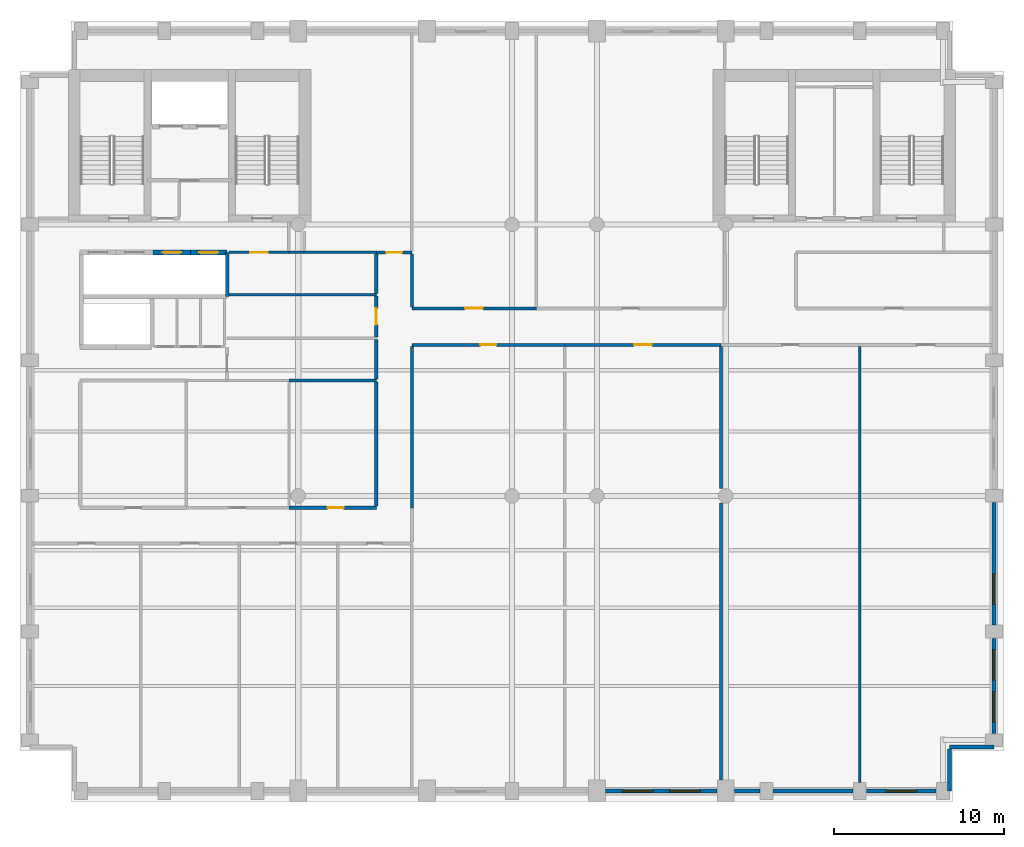
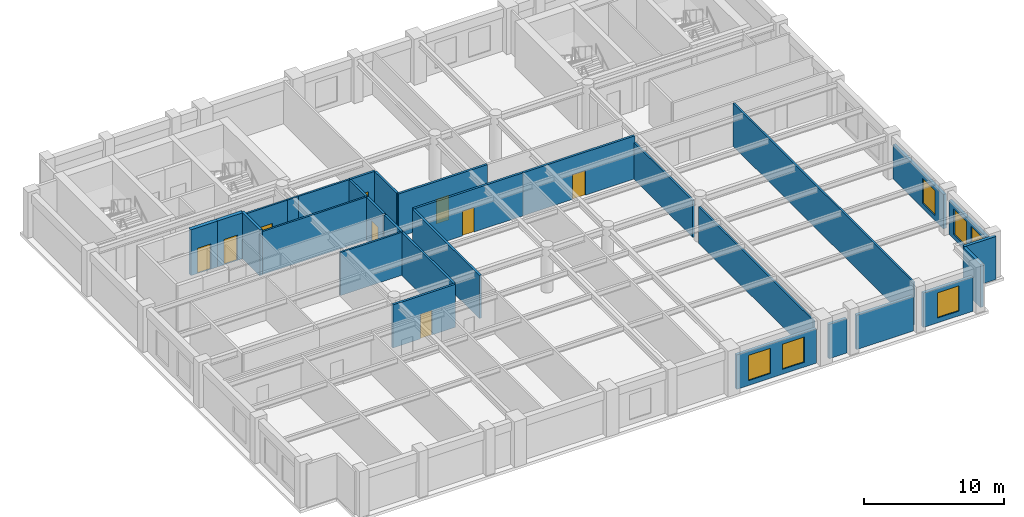
# One storey, part 4 of 8: 30 walls, 9 doors, 6 windows, 15 openings.
"""IFC4 building model written with IfcOpenShell, lengths in metres."""

from ifc_helpers import new_model, si_unit, direction, frame, frame_2d, origin, place, context, subcontext, project, spatial, rectangle, extrude, material, layer, layer_set, type_object, element, fill, save


model = new_model("IFC4")

# Units and contexts
model_context = context("Model", 3, precision=1e-05, world=origin(), true_north=direction((0.0, 1.0)))
body_context = subcontext(model_context, "Body", "Model", "MODEL_VIEW")
ifc_project = project(units=[si_unit("LENGTHUNIT", "METRE"), si_unit("AREAUNIT", "SQUARE_METRE"), si_unit("VOLUMEUNIT", "CUBIC_METRE"), si_unit("PLANEANGLEUNIT", "RADIAN"), si_unit("MASSUNIT", "GRAM", prefix="KILO")], contexts=[model_context])

# Site, building, storey
site_placement = place(None, origin())
site = spatial("IfcSite", under=ifc_project, at=site_placement, CompositionType="ELEMENT")
building_placement = place(site_placement, origin())
building = spatial("IfcBuilding", under=site, at=building_placement, Name="Sulina Concourse Tower", CompositionType="ELEMENT")
storey_placement = place(building_placement, frame((0.0, 0.0, 248.60009765625)))
storey = spatial("IfcBuildingStorey", under=building, at=storey_placement, Name="L60", CompositionType="ELEMENT", Elevation=248.60009765625)

# Wall
ifc_material_1 = material(Name="Concrete C50/60", Category="concrete")
ifc_layer_1 = layer(ifc_material_1, 0.219970703125)
ifc_layer_set_1 = layer_set([ifc_layer_1], Name="Concrete C50/60")
wall_type_1 = type_object("IfcWallType", Name="Core Lift Hoistway Divider Wall 220mm", PredefinedType="SOLIDWALL", material=ifc_layer_set_1)
wall_1_placement = place(storey_placement, frame((12.219970703125, 29.75, 0.0), z_axis=(0.0, 0.0, 1.0), x_axis=(0.0, 1.0, 0.0)))
element("IfcWall", 1, at=wall_1_placement, inside=storey, type_object=wall_type_1, Name="L60 shaft divider wall HW-LP3-E", PredefinedType="SOLIDWALL", context=body_context, shape_type="SweptSolid", body=[
    extrude(rectangle(XDim=2.60009765625, YDim=0.219970703125, at=frame_2d((1.300048828125, 0.0))), origin(), (0.0, 0.0, 1.0), 4.0),
])

# Wall, opening, door
ifc_material_2 = material(Name="Concrete C50/60", Category="concrete")
ifc_layer_2 = layer(ifc_material_2, 0.300048828125)
ifc_layer_set_2 = layer_set([ifc_layer_2], Name="Concrete C50/60")
wall_type_2 = type_object("IfcWallType", Name="Core Lift Hoistway Wall 300mm", PredefinedType="SOLIDWALL", material=ifc_layer_set_2)
wall_2_placement = place(storey_placement, frame((7.85009765625, 32.35009765625, 0.0), z_axis=(0.0, 0.0, 1.0), x_axis=(1.0, 0.0, 0.0)))
wall_2 = element("IfcWall", 2, at=wall_2_placement, inside=storey, type_object=wall_type_2, Name="L60 hoistway enclosure wall LP-11", PredefinedType="SOLIDWALL", context=body_context, shape_type="SweptSolid", body=[
    extrude(rectangle(XDim=2.199951171875, YDim=0.300048828125, at=frame_2d((1.10009765625, 0.0))), origin(), (0.0, 0.0, 1.0), 4.0),
])
opening_1_placement = place(wall_2_placement, frame((0.550048828125, 0.0, 0.0)))
opening_1 = element("IfcOpeningElement", 3, at=opening_1_placement, cuts=wall_2, Name="Opening LD-01", PredefinedType="OPENING", context=body_context, shape_type="SweptSolid", body=[
    extrude(rectangle(XDim=1.10009765625, YDim=2.199951171875, at=frame_2d((0.550048828125, 1.10009765625))), frame((0.0, 0.159912109375, 0.0), z_axis=(0.0, -1.0, 0.0), x_axis=(1.0, 0.0, 0.0)), (0.0, 0.0, 1.0), 0.320068359375),
])
ifc_material_3 = material(Name="Stainless steel lift landing door", Category="steel")
ifc_layer_3 = layer(ifc_material_3, 0.050048828125)
ifc_layer_set_3 = layer_set([ifc_layer_3], Name="Stainless steel lift landing door")
door_type_1 = type_object("IfcDoorType", Name="Passenger Lift Sliding Landing Door 1100x2200", OperationType="SLIDING_TO_LEFT", PredefinedType="DOOR", material=ifc_layer_set_3)
door_1_placement = place(opening_1_placement, origin())
door_1 = element("IfcDoor", 4, at=door_1_placement, inside=storey, type_object=door_type_1, Name="L60 lift landing sliding door LP-11", OperationType="SLIDING_TO_LEFT", OverallHeight=2.199951171875, OverallWidth=1.10009765625, PredefinedType="DOOR", context=body_context, shape_type="SweptSolid", body=[
    extrude(rectangle(XDim=1.10009765625, YDim=2.199951171875, at=frame_2d((0.550048828125, 1.10009765625))), frame((0.0, 0.02490234375, 0.0), z_axis=(0.0, -1.0, 0.0), x_axis=(1.0, 0.0, 0.0)), (0.0, 0.0, 1.0), 0.050048828125),
])
fill(opening_1, door_1)

wall_3_placement = place(storey_placement, frame((10.050048828125, 32.35009765625, 0.0), z_axis=(0.0, 0.0, 1.0), x_axis=(1.0, 0.0, 0.0)))
wall_3 = element("IfcWall", 5, at=wall_3_placement, inside=storey, type_object=wall_type_2, Name="L60 hoistway enclosure wall LP-12", PredefinedType="SOLIDWALL", context=body_context, shape_type="SweptSolid", body=[
    extrude(rectangle(XDim=2.14990234375, YDim=0.300048828125, at=frame_2d((1.074951171875, 0.0))), origin(), (0.0, 0.0, 1.0), 4.0),
])
opening_2_placement = place(wall_3_placement, frame((0.52490234375, 0.0, 0.0)))
opening_2 = element("IfcOpeningElement", 6, at=opening_2_placement, cuts=wall_3, Name="Opening LD-01", PredefinedType="OPENING", context=body_context, shape_type="SweptSolid", body=[
    extrude(rectangle(XDim=1.10009765625, YDim=2.199951171875, at=frame_2d((0.550048828125, 1.10009765625))), frame((0.0, 0.159912109375, 0.0), z_axis=(0.0, -1.0, 0.0), x_axis=(1.0, 0.0, 0.0)), (0.0, 0.0, 1.0), 0.320068359375),
])
door_2_placement = place(opening_2_placement, origin())
door_2 = element("IfcDoor", 7, at=door_2_placement, inside=storey, type_object=door_type_1, Name="L60 lift landing sliding door LP-12", OperationType="SLIDING_TO_RIGHT", OverallHeight=2.199951171875, OverallWidth=1.10009765625, PredefinedType="DOOR", context=body_context, shape_type="SweptSolid", body=[
    extrude(rectangle(XDim=1.10009765625, YDim=2.199951171875, at=frame_2d((0.550048828125, 1.10009765625))), frame((0.0, 0.02490234375, 0.0), z_axis=(0.0, -1.0, 0.0), x_axis=(1.0, 0.0, 0.0)), (0.0, 0.0, 1.0), 0.050048828125),
])
fill(opening_2, door_2)

# Wall, openings, windows
ifc_material_4 = material(Name="Precast concrete C50/60", Category="concrete")
ifc_layer_4 = layer(ifc_material_4, 0.239990234375)
ifc_layer_set_4 = layer_set([ifc_layer_4], Name="Precast concrete C50/60")
wall_type_3 = type_object("IfcWallType", Name="Crown Precast Masonry-Frame Facade Wall 240mm", PredefinedType="SOLIDWALL", material=ifc_layer_set_4)
wall_4_placement = place(storey_placement, frame((41.080078125, 0.60009765625, 0.0), z_axis=(0.0, 0.0, 1.0), x_axis=(-1.0, 0.0, 0.0)))
wall_4 = element("IfcWall", 8, at=wall_4_placement, inside=storey, type_object=wall_type_3, Name="L60 exterior precast wall S7", PredefinedType="SOLIDWALL", context=body_context, shape_type="SweptSolid", body=[
    extrude(rectangle(XDim=6.56005859375, YDim=0.239990234375, at=frame_2d((3.280029296875, 0.0))), origin(), (0.0, 0.0, 1.0), 3.0),
])
opening_3_placement = place(wall_4_placement, frame((0.98681640625, 0.0, 0.419921875)))
opening_3 = element("IfcOpeningElement", 9, at=opening_3_placement, cuts=wall_4, Name="Opening WN-25", PredefinedType="OPENING", context=body_context, shape_type="SweptSolid", body=[
    extrude(rectangle(XDim=1.800048828125, YDim=2.199951171875, at=frame_2d((0.89990234375, 1.10009765625))), frame((0.0, 0.1298828125, 0.0), z_axis=(0.0, -1.0, 0.0), x_axis=(1.0, 0.0, 0.0)), (0.0, 0.0, 1.0), 0.260009765625),
])
opening_4_placement = place(wall_4_placement, frame((3.773193359375, 0.0, 0.419921875)))
opening_4 = element("IfcOpeningElement", 10, at=opening_4_placement, cuts=wall_4, Name="Opening WN-25", PredefinedType="OPENING", context=body_context, shape_type="SweptSolid", body=[
    extrude(rectangle(XDim=1.800048828125, YDim=2.199951171875, at=frame_2d((0.89990234375, 1.10009765625))), frame((0.0, 0.1298828125, 0.0), z_axis=(0.0, -1.0, 0.0), x_axis=(1.0, 0.0, 0.0)), (0.0, 0.0, 1.0), 0.260009765625),
])
ifc_material_5 = material(Name="Low-E solar double glazing in bronze aluminium", Category="aluminium")
window_type = type_object("IfcWindowType", Name="Punched Masonry-Frame Window 1800x2200", PartitioningType="SINGLE_PANEL", PredefinedType="WINDOW", material=ifc_material_5)
window_1_placement = place(opening_3_placement, origin())
window_1 = element("IfcWindow", 11, at=window_1_placement, inside=storey, type_object=window_type, Name="L60 punched window S7-1", OverallHeight=2.199951171875, OverallWidth=1.800048828125, PartitioningType="SINGLE_PANEL", PredefinedType="WINDOW", context=body_context, shape_type="SweptSolid", body=[
    extrude(rectangle(XDim=1.800048828125, YDim=2.199951171875, at=frame_2d((0.89990234375, 1.10009765625))), frame((0.0, 0.030029296875, 0.0), z_axis=(0.0, -1.0, 0.0), x_axis=(1.0, 0.0, 0.0)), (0.0, 0.0, 1.0), 0.06005859375),
])
fill(opening_3, window_1)
window_2_placement = place(opening_4_placement, origin())
window_2 = element("IfcWindow", 12, at=window_2_placement, inside=storey, type_object=window_type, Name="L60 punched window S7-2", OverallHeight=2.199951171875, OverallWidth=1.800048828125, PartitioningType="SINGLE_PANEL", PredefinedType="WINDOW", context=body_context, shape_type="SweptSolid", body=[
    extrude(rectangle(XDim=1.800048828125, YDim=2.199951171875, at=frame_2d((0.89990234375, 1.10009765625))), frame((0.0, 0.030029296875, 0.0), z_axis=(0.0, -1.0, 0.0), x_axis=(1.0, 0.0, 0.0)), (0.0, 0.0, 1.0), 0.06005859375),
])
fill(opening_4, window_2)

# Walls
wall_5_placement = place(storey_placement, frame((43.60498046875, 0.60009765625, 0.0), z_axis=(0.0, 0.0, 1.0), x_axis=(-1.0, 0.0, 0.0)))
element("IfcWall", 13, at=wall_5_placement, inside=storey, type_object=wall_type_3, Name="L60 exterior precast wall S8", PredefinedType="SOLIDWALL", context=body_context, shape_type="SweptSolid", body=[
    extrude(rectangle(XDim=1.48486328125, YDim=0.239990234375, at=frame_2d((0.742431640625, 0.0))), origin(), (0.0, 0.0, 1.0), 3.0),
])
wall_6_placement = place(storey_placement, frame((49.10498046875, 0.60009765625, 0.0), z_axis=(0.0, 0.0, 1.0), x_axis=(-1.0, 0.0, 0.0)))
element("IfcWall", 14, at=wall_6_placement, inside=storey, type_object=wall_type_3, Name="L60 exterior precast wall S9", PredefinedType="SOLIDWALL", context=body_context, shape_type="SweptSolid", body=[
    extrude(rectangle(XDim=4.7099609375, YDim=0.239990234375, at=frame_2d((2.35498046875, 0.0))), origin(), (0.0, 0.0, 1.0), 3.0),
])

# Wall, opening, window
wall_7_placement = place(storey_placement, frame((54.0048828125, 0.60009765625, 0.0), z_axis=(0.0, 0.0, 1.0), x_axis=(-1.0, 0.0, 0.0)))
wall_7 = element("IfcWall", 15, at=wall_7_placement, inside=storey, type_object=wall_type_3, Name="L60 exterior precast wall S10", PredefinedType="SOLIDWALL", context=body_context, shape_type="SweptSolid", body=[
    extrude(rectangle(XDim=4.10986328125, YDim=0.239990234375, at=frame_2d((2.054931640625, 0.0))), origin(), (0.0, 0.0, 1.0), 3.0),
])
opening_5_placement = place(wall_7_placement, frame((1.155029296875, 0.0, 0.419921875)))
opening_5 = element("IfcOpeningElement", 16, at=opening_5_placement, cuts=wall_7, Name="Opening WN-25", PredefinedType="OPENING", context=body_context, shape_type="SweptSolid", body=[
    extrude(rectangle(XDim=1.800048828125, YDim=2.199951171875, at=frame_2d((0.89990234375, 1.10009765625))), frame((0.0, 0.1298828125, 0.0), z_axis=(0.0, -1.0, 0.0), x_axis=(1.0, 0.0, 0.0)), (0.0, 0.0, 1.0), 0.260009765625),
])
window_3_placement = place(opening_5_placement, origin())
window_3 = element("IfcWindow", 17, at=window_3_placement, inside=storey, type_object=window_type, Name="L60 punched window S10-1", OverallHeight=2.199951171875, OverallWidth=1.800048828125, PartitioningType="SINGLE_PANEL", PredefinedType="WINDOW", context=body_context, shape_type="SweptSolid", body=[
    extrude(rectangle(XDim=1.800048828125, YDim=2.199951171875, at=frame_2d((0.89990234375, 1.10009765625))), frame((0.0, 0.030029296875, 0.0), z_axis=(0.0, -1.0, 0.0), x_axis=(1.0, 0.0, 0.0)), (0.0, 0.0, 1.0), 0.06005859375),
])
fill(opening_5, window_3)

# Wall, openings, windows
wall_8_placement = place(storey_placement, frame((57.39990234375, 9.60498046875, 0.0), z_axis=(0.0, 0.0, 1.0), x_axis=(0.0, -1.0, 0.0)))
wall_8 = element("IfcWall", 18, at=wall_8_placement, inside=storey, type_object=wall_type_3, Name="L60 exterior precast wall E1", PredefinedType="SOLIDWALL", context=body_context, shape_type="SweptSolid", body=[
    extrude(rectangle(XDim=5.60986328125, YDim=0.239990234375, at=frame_2d((2.804931640625, 0.0))), origin(), (0.0, 0.0, 1.0), 3.0),
])
opening_6_placement = place(wall_8_placement, frame((0.669921875, 0.0, 0.419921875)))
opening_6 = element("IfcOpeningElement", 19, at=opening_6_placement, cuts=wall_8, Name="Opening WN-25", PredefinedType="OPENING", context=body_context, shape_type="SweptSolid", body=[
    extrude(rectangle(XDim=1.800048828125, YDim=2.199951171875, at=frame_2d((0.89990234375, 1.10009765625))), frame((0.0, 0.1298828125, 0.0), z_axis=(0.0, -1.0, 0.0), x_axis=(1.0, 0.0, 0.0)), (0.0, 0.0, 1.0), 0.260009765625),
])
opening_7_placement = place(wall_8_placement, frame((3.139892578125, 0.0, 0.419921875)))
opening_7 = element("IfcOpeningElement", 20, at=opening_7_placement, cuts=wall_8, Name="Opening WN-25", PredefinedType="OPENING", context=body_context, shape_type="SweptSolid", body=[
    extrude(rectangle(XDim=1.800048828125, YDim=2.199951171875, at=frame_2d((0.89990234375, 1.10009765625))), frame((0.0, 0.1298828125, 0.0), z_axis=(0.0, -1.0, 0.0), x_axis=(1.0, 0.0, 0.0)), (0.0, 0.0, 1.0), 0.260009765625),
])
window_4_placement = place(opening_6_placement, origin())
window_4 = element("IfcWindow", 21, at=window_4_placement, inside=storey, type_object=window_type, Name="L60 punched window E1-1", OverallHeight=2.199951171875, OverallWidth=1.800048828125, PartitioningType="SINGLE_PANEL", PredefinedType="WINDOW", context=body_context, shape_type="SweptSolid", body=[
    extrude(rectangle(XDim=1.800048828125, YDim=2.199951171875, at=frame_2d((0.89990234375, 1.10009765625))), frame((0.0, 0.030029296875, 0.0), z_axis=(0.0, -1.0, 0.0), x_axis=(1.0, 0.0, 0.0)), (0.0, 0.0, 1.0), 0.06005859375),
])
fill(opening_6, window_4)
window_5_placement = place(opening_7_placement, origin())
window_5 = element("IfcWindow", 22, at=window_5_placement, inside=storey, type_object=window_type, Name="L60 punched window E1-2", OverallHeight=2.199951171875, OverallWidth=1.800048828125, PartitioningType="SINGLE_PANEL", PredefinedType="WINDOW", context=body_context, shape_type="SweptSolid", body=[
    extrude(rectangle(XDim=1.800048828125, YDim=2.199951171875, at=frame_2d((0.89990234375, 1.10009765625))), frame((0.0, 0.030029296875, 0.0), z_axis=(0.0, -1.0, 0.0), x_axis=(1.0, 0.0, 0.0)), (0.0, 0.0, 1.0), 0.06005859375),
])
fill(opening_7, window_5)

# Wall, opening, window
wall_9_placement = place(storey_placement, frame((57.39990234375, 17.60498046875, 0.0), z_axis=(0.0, 0.0, 1.0), x_axis=(0.0, -1.0, 0.0)))
wall_9 = element("IfcWall", 23, at=wall_9_placement, inside=storey, type_object=wall_type_3, Name="L60 exterior precast wall E2", PredefinedType="SOLIDWALL", context=body_context, shape_type="SweptSolid", body=[
    extrude(rectangle(XDim=7.2099609375, YDim=0.239990234375, at=frame_2d((3.60498046875, 0.0))), origin(), (0.0, 0.0, 1.0), 3.0),
])
opening_8_placement = place(wall_9_placement, frame((4.206787109375, 0.0, 0.419921875)))
opening_8 = element("IfcOpeningElement", 24, at=opening_8_placement, cuts=wall_9, Name="Opening WN-25", PredefinedType="OPENING", context=body_context, shape_type="SweptSolid", body=[
    extrude(rectangle(XDim=1.800048828125, YDim=2.199951171875, at=frame_2d((0.89990234375, 1.10009765625))), frame((0.0, 0.1298828125, 0.0), z_axis=(0.0, -1.0, 0.0), x_axis=(1.0, 0.0, 0.0)), (0.0, 0.0, 1.0), 0.260009765625),
])
window_6_placement = place(opening_8_placement, origin())
window_6 = element("IfcWindow", 25, at=window_6_placement, inside=storey, type_object=window_type, Name="L60 punched window E2-1", OverallHeight=2.199951171875, OverallWidth=1.800048828125, PartitioningType="SINGLE_PANEL", PredefinedType="WINDOW", context=body_context, shape_type="SweptSolid", body=[
    extrude(rectangle(XDim=1.800048828125, YDim=2.199951171875, at=frame_2d((0.89990234375, 1.10009765625))), frame((0.0, 0.030029296875, 0.0), z_axis=(0.0, -1.0, 0.0), x_axis=(1.0, 0.0, 0.0)), (0.0, 0.0, 1.0), 0.06005859375),
])
fill(opening_8, window_6)

# Walls
wall_10_placement = place(storey_placement, frame((57.39990234375, 3.205078125, 0.0), z_axis=(0.0, 0.0, 1.0), x_axis=(-1.0, 0.0, 0.0)))
element("IfcWall", 26, at=wall_10_placement, inside=storey, type_object=wall_type_3, Name="L60 exterior precast wall CSE1", PredefinedType="SOLIDWALL", context=body_context, shape_type="SweptSolid", body=[
    extrude(rectangle(XDim=2.60498046875, YDim=0.239990234375, at=frame_2d((1.302490234375, 0.0))), origin(), (0.0, 0.0, 1.0), 3.75),
])
wall_11_placement = place(storey_placement, frame((54.794921875, 3.080078125, 0.0), z_axis=(0.0, 0.0, 1.0), x_axis=(0.0, -1.0, 0.0)))
element("IfcWall", 27, at=wall_11_placement, inside=storey, type_object=wall_type_3, Name="L60 exterior precast wall CSE2", PredefinedType="SOLIDWALL", context=body_context, shape_type="SweptSolid", body=[
    extrude(rectangle(XDim=2.47998046875, YDim=0.239990234375, at=frame_2d((1.239990234375, 0.0))), origin(), (0.0, 0.0, 1.0), 3.75),
])
ifc_material_6 = material(Name="Gypsum board on steel stud", Category="steel")
ifc_layer_5 = layer(ifc_material_6, 0.14990234375)
ifc_layer_set_5 = layer_set([ifc_layer_5], Name="Gypsum board on steel stud")
wall_type_4 = type_object("IfcWallType", Name="Inter-Tenancy Acoustic Partition 150mm", PredefinedType="PARTITIONING", material=ifc_layer_set_5)
wall_12_placement = place(storey_placement, frame((15.85009765625, 24.800048828125, 0.0), z_axis=(0.0, 0.0, 1.0), x_axis=(1.0, 0.0, 0.0)))
element("IfcWall", 28, at=wall_12_placement, inside=storey, type_object=wall_type_4, Name="L60 interior partition 011", PredefinedType="PARTITIONING", context=body_context, shape_type="SweptSolid", body=[
    extrude(rectangle(XDim=5.14990234375, YDim=0.14990234375, at=frame_2d((2.574951171875, 0.0))), origin(), (0.0, 0.0, 1.0), 3.75),
])
wall_13_placement = place(storey_placement, frame((12.330078125, 29.85009765625, 0.0), z_axis=(0.0, 0.0, 1.0), x_axis=(1.0, 0.0, 0.0)))
element("IfcWall", 29, at=wall_13_placement, inside=storey, type_object=wall_type_4, Name="L60 interior partition 023", PredefinedType="PARTITIONING", context=body_context, shape_type="SweptSolid", body=[
    extrude(rectangle(XDim=8.669921875, YDim=0.14990234375, at=frame_2d((4.3349609375, 0.0))), origin(), (0.0, 0.0, 1.0), 3.75),
])

# Wall, opening, door
wall_14_placement = place(storey_placement, frame((12.330078125, 32.35009765625, 0.0), z_axis=(0.0, 0.0, 1.0), x_axis=(1.0, 0.0, 0.0)))
wall_14 = element("IfcWall", 30, at=wall_14_placement, inside=storey, type_object=wall_type_4, Name="L60 interior partition 024", PredefinedType="PARTITIONING", context=body_context, shape_type="SweptSolid", body=[
    extrude(rectangle(XDim=3.52001953125, YDim=0.14990234375, at=frame_2d((1.760009765625, 0.0))), origin(), (0.0, 0.0, 1.0), 3.75),
])
opening_9_placement = place(wall_14_placement, frame((1.235107421875, 0.0, 0.0)))
opening_9 = element("IfcOpeningElement", 31, at=opening_9_placement, cuts=wall_14, Name="Opening DR-37", PredefinedType="OPENING", context=body_context, shape_type="SweptSolid", body=[
    extrude(rectangle(XDim=1.050048828125, YDim=2.14990234375, at=frame_2d((0.52490234375, 1.074951171875))), frame((0.0, 0.0849609375, 0.0), z_axis=(0.0, -1.0, 0.0), x_axis=(1.0, 0.0, 0.0)), (0.0, 0.0, 1.0), 0.169921875),
])
ifc_material_7 = material(Name="Oak-veneered fire door leaf")
ifc_layer_6 = layer(ifc_material_7, 0.050048828125)
ifc_layer_set_6 = layer_set([ifc_layer_6], Name="Oak-veneered fire door leaf")
door_type_2 = type_object("IfcDoorType", Name="Tenant Suite Entrance Fire Door 1050x2150", OperationType="NOTDEFINED", PredefinedType="DOOR", material=ifc_layer_set_6)
door_3_placement = place(opening_9_placement, origin())
door_3 = element("IfcDoor", 32, at=door_3_placement, inside=storey, type_object=door_type_2, Name="L60 interior door L60-MR-MRG3", OperationType="SINGLE_SWING_RIGHT", OverallHeight=2.14990234375, OverallWidth=1.050048828125, PredefinedType="DOOR", context=body_context, shape_type="SweptSolid", body=[
    extrude(rectangle(XDim=1.050048828125, YDim=2.14990234375, at=frame_2d((0.52490234375, 1.074951171875))), frame((0.0, 0.02490234375, 0.0), z_axis=(0.0, -1.0, 0.0), x_axis=(1.0, 0.0, 0.0)), (0.0, 0.0, 1.0), 0.050048828125),
])
fill(opening_9, door_3)

# Walls
wall_15_placement = place(storey_placement, frame((15.85009765625, 32.35009765625, 0.0), z_axis=(0.0, 0.0, 1.0), x_axis=(1.0, 0.0, 0.0)))
element("IfcWall", 33, at=wall_15_placement, inside=storey, type_object=wall_type_4, Name="L60 interior partition 025", PredefinedType="PARTITIONING", context=body_context, shape_type="SweptSolid", body=[
    extrude(rectangle(XDim=0.89990234375, YDim=0.14990234375, at=frame_2d((0.449951171875, 0.0))), origin(), (0.0, 0.0, 1.0), 3.75),
])
wall_16_placement = place(storey_placement, frame((16.75, 32.35009765625, 0.0), z_axis=(0.0, 0.0, 1.0), x_axis=(1.0, 0.0, 0.0)))
element("IfcWall", 34, at=wall_16_placement, inside=storey, type_object=wall_type_4, Name="L60 interior partition 026", PredefinedType="PARTITIONING", context=body_context, shape_type="SweptSolid", body=[
    extrude(rectangle(XDim=4.25, YDim=0.14990234375, at=frame_2d((2.125, 0.0))), origin(), (0.0, 0.0, 1.0), 3.75),
])
wall_17_placement = place(storey_placement, frame((41.320068359375, 1.25, 0.0), z_axis=(0.0, 0.0, 1.0), x_axis=(0.0, 1.0, 0.0)))
element("IfcWall", 35, at=wall_17_placement, inside=storey, type_object=wall_type_4, Name="L60 interior partition 058", PredefinedType="PARTITIONING", context=body_context, shape_type="SweptSolid", body=[
    extrude(rectangle(XDim=16.324951171875, YDim=0.14990234375, at=frame_2d((8.16259765625, 0.0))), origin(), (0.0, 0.0, 1.0), 3.19482421875),
])
wall_18_placement = place(storey_placement, frame((41.320068359375, 18.425048828125, 0.0), z_axis=(0.0, 0.0, 1.0), x_axis=(0.0, 1.0, 0.0)))
element("IfcWall", 36, at=wall_18_placement, inside=storey, type_object=wall_type_4, Name="L60 interior partition 059", PredefinedType="PARTITIONING", context=body_context, shape_type="SweptSolid", body=[
    extrude(rectangle(XDim=8.385009765625, YDim=0.14990234375, at=frame_2d((4.1923828125, 0.0))), origin(), (0.0, 0.0, 1.0), 3.19482421875),
])
wall_19_placement = place(storey_placement, frame((49.5, 1.10009765625, 0.0), z_axis=(0.0, 0.0, 1.0), x_axis=(0.0, 1.0, 0.0)))
element("IfcWall", 37, at=wall_19_placement, inside=storey, type_object=wall_type_4, Name="L60 interior partition 065", PredefinedType="PARTITIONING", context=body_context, shape_type="SweptSolid", body=[
    extrude(rectangle(XDim=25.7099609375, YDim=0.14990234375, at=frame_2d((12.85498046875, 0.0))), origin(), (0.0, 0.0, 1.0), 3.75),
])

# Wall, opening, door
ifc_material_8 = material(Name="Gypsum board on steel stud", Category="steel")
ifc_layer_7 = layer(ifc_material_8, 0.179931640625)
ifc_layer_set_7 = layer_set([ifc_layer_7], Name="Gypsum board on steel stud")
wall_type_5 = type_object("IfcWallType", Name="Protected Corridor & Riser Partition 180mm", PredefinedType="PARTITIONING", material=ifc_layer_set_7)
wall_20_placement = place(storey_placement, frame((15.85009765625, 17.300048828125, 0.0), z_axis=(0.0, 0.0, 1.0), x_axis=(1.0, 0.0, 0.0)))
wall_20 = element("IfcWall", 38, at=wall_20_placement, inside=storey, type_object=wall_type_5, Name="L60 interior partition 007", PredefinedType="PARTITIONING", context=body_context, shape_type="SweptSolid", body=[
    extrude(rectangle(XDim=5.14990234375, YDim=0.179931640625, at=frame_2d((2.574951171875, 0.0))), origin(), (0.0, 0.0, 1.0), 3.75),
])
opening_10_placement = place(wall_20_placement, frame((2.280029296875, 0.0, 0.0)))
opening_10 = element("IfcOpeningElement", 39, at=opening_10_placement, cuts=wall_20, Name="Opening DR-19", PredefinedType="OPENING", context=body_context, shape_type="SweptSolid", body=[
    extrude(rectangle(XDim=0.949951171875, YDim=2.14990234375, at=frame_2d((0.47509765625, 1.074951171875))), frame((0.0, 0.099853515625, 0.0), z_axis=(0.0, -1.0, 0.0), x_axis=(1.0, 0.0, 0.0)), (0.0, 0.0, 1.0), 0.199951171875),
])
ifc_material_9 = material(Name="Oak-veneered acoustic timber leaf", Category="wood")
ifc_layer_8 = layer(ifc_material_9, 0.050048828125)
ifc_layer_set_8 = layer_set([ifc_layer_8], Name="Oak-veneered acoustic timber leaf")
door_type_3 = type_object("IfcDoorType", Name="Cellular Office & Meeting Door 950x2150", OperationType="NOTDEFINED", PredefinedType="DOOR", material=ifc_layer_set_8)
door_4_placement = place(opening_10_placement, origin())
door_4 = element("IfcDoor", 40, at=door_4_placement, inside=storey, type_object=door_type_3, Name="L60 interior door L60-NZ-PKW", OperationType="SINGLE_SWING_LEFT", OverallHeight=2.14990234375, OverallWidth=0.949951171875, PredefinedType="DOOR", context=body_context, shape_type="SweptSolid", body=[
    extrude(rectangle(XDim=0.949951171875, YDim=2.14990234375, at=frame_2d((0.47509765625, 1.074951171875))), frame((0.0, 0.02490234375, 0.0), z_axis=(0.0, -1.0, 0.0), x_axis=(1.0, 0.0, 0.0)), (0.0, 0.0, 1.0), 0.050048828125),
])
fill(opening_10, door_4)

wall_21_placement = place(storey_placement, frame((23.10009765625, 26.89990234375, 0.0), z_axis=(0.0, 0.0, 1.0), x_axis=(1.0, 0.0, 0.0)))
wall_21 = element("IfcWall", 41, at=wall_21_placement, inside=storey, type_object=wall_type_5, Name="L60 interior partition 015", PredefinedType="PARTITIONING", context=body_context, shape_type="SweptSolid", body=[
    extrude(rectangle(XDim=9.02001953125, YDim=0.179931640625, at=frame_2d((4.510009765625, 0.0))), origin(), (0.0, 0.0, 1.0), 3.75),
])
opening_11_placement = place(wall_21_placement, frame((4.034912109375, 0.0, 0.0)))
opening_11 = element("IfcOpeningElement", 42, at=opening_11_placement, cuts=wall_21, Name="Opening DR-19", PredefinedType="OPENING", context=body_context, shape_type="SweptSolid", body=[
    extrude(rectangle(XDim=0.949951171875, YDim=2.14990234375, at=frame_2d((0.47509765625, 1.074951171875))), frame((0.0, 0.099853515625, 0.0), z_axis=(0.0, -1.0, 0.0), x_axis=(1.0, 0.0, 0.0)), (0.0, 0.0, 1.0), 0.199951171875),
])
door_5_placement = place(opening_11_placement, origin())
door_5 = element("IfcDoor", 43, at=door_5_placement, inside=storey, type_object=door_type_3, Name="L60 interior door L60-S05", OperationType="SINGLE_SWING_LEFT", OverallHeight=2.14990234375, OverallWidth=0.949951171875, PredefinedType="DOOR", context=body_context, shape_type="SweptSolid", body=[
    extrude(rectangle(XDim=0.949951171875, YDim=2.14990234375, at=frame_2d((0.47509765625, 1.074951171875))), frame((0.0, 0.02490234375, 0.0), z_axis=(0.0, -1.0, 0.0), x_axis=(1.0, 0.0, 0.0)), (0.0, 0.0, 1.0), 0.050048828125),
])
fill(opening_11, door_5)

wall_22_placement = place(storey_placement, frame((32.1201171875, 26.89990234375, 0.0), z_axis=(0.0, 0.0, 1.0), x_axis=(1.0, 0.0, 0.0)))
wall_22 = element("IfcWall", 44, at=wall_22_placement, inside=storey, type_object=wall_type_5, Name="L60 interior partition 016", PredefinedType="PARTITIONING", context=body_context, shape_type="SweptSolid", body=[
    extrude(rectangle(XDim=9.199951171875, YDim=0.179931640625, at=frame_2d((4.60009765625, 0.0))), origin(), (0.0, 0.0, 1.0), 3.75),
])
opening_12_placement = place(wall_22_placement, frame((4.074951171875, 0.0, 0.0)))
opening_12 = element("IfcOpeningElement", 45, at=opening_12_placement, cuts=wall_22, Name="Opening DR-37", PredefinedType="OPENING", context=body_context, shape_type="SweptSolid", body=[
    extrude(rectangle(XDim=1.050048828125, YDim=2.14990234375, at=frame_2d((0.52490234375, 1.074951171875))), frame((0.0, 0.099853515625, 0.0), z_axis=(0.0, -1.0, 0.0), x_axis=(1.0, 0.0, 0.0)), (0.0, 0.0, 1.0), 0.199951171875),
])
door_6_placement = place(opening_12_placement, origin())
door_6 = element("IfcDoor", 46, at=door_6_placement, inside=storey, type_object=door_type_2, Name="L60 interior door L60-S06", OperationType="SINGLE_SWING_RIGHT", OverallHeight=2.14990234375, OverallWidth=1.050048828125, PredefinedType="DOOR", context=body_context, shape_type="SweptSolid", body=[
    extrude(rectangle(XDim=1.050048828125, YDim=2.14990234375, at=frame_2d((0.52490234375, 1.074951171875))), frame((0.0, 0.02490234375, 0.0), z_axis=(0.0, -1.0, 0.0), x_axis=(1.0, 0.0, 0.0)), (0.0, 0.0, 1.0), 0.050048828125),
])
fill(opening_12, door_6)

wall_23_placement = place(storey_placement, frame((23.10009765625, 29.050048828125, 0.0), z_axis=(0.0, 0.0, 1.0), x_axis=(1.0, 0.0, 0.0)))
wall_23 = element("IfcWall", 47, at=wall_23_placement, inside=storey, type_object=wall_type_5, Name="L60 interior partition 020", PredefinedType="PARTITIONING", context=body_context, shape_type="SweptSolid", body=[
    extrude(rectangle(XDim=7.329833984375, YDim=0.179931640625, at=frame_2d((3.6650390625, 0.0))), origin(), (0.0, 0.0, 1.0), 3.75),
])
opening_13_placement = place(wall_23_placement, frame((3.139892578125, 0.0, 0.0)))
opening_13 = element("IfcOpeningElement", 48, at=opening_13_placement, cuts=wall_23, Name="Opening DR-37", PredefinedType="OPENING", context=body_context, shape_type="SweptSolid", body=[
    extrude(rectangle(XDim=1.050048828125, YDim=2.14990234375, at=frame_2d((0.52490234375, 1.074951171875))), frame((0.0, 0.099853515625, 0.0), z_axis=(0.0, -1.0, 0.0), x_axis=(1.0, 0.0, 0.0)), (0.0, 0.0, 1.0), 0.199951171875),
])
door_7_placement = place(opening_13_placement, origin())
door_7 = element("IfcDoor", 49, at=door_7_placement, inside=storey, type_object=door_type_2, Name="L60 interior door L60-NC1", OperationType="SINGLE_SWING_LEFT", OverallHeight=2.14990234375, OverallWidth=1.050048828125, PredefinedType="DOOR", context=body_context, shape_type="SweptSolid", body=[
    extrude(rectangle(XDim=1.050048828125, YDim=2.14990234375, at=frame_2d((0.52490234375, 1.074951171875))), frame((0.0, 0.02490234375, 0.0), z_axis=(0.0, -1.0, 0.0), x_axis=(1.0, 0.0, 0.0)), (0.0, 0.0, 1.0), 0.050048828125),
])
fill(opening_13, door_7)

wall_24_placement = place(storey_placement, frame((21.0, 32.35009765625, 0.0), z_axis=(0.0, 0.0, 1.0), x_axis=(1.0, 0.0, 0.0)))
wall_24 = element("IfcWall", 50, at=wall_24_placement, inside=storey, type_object=wall_type_5, Name="L60 interior partition 027", PredefinedType="PARTITIONING", context=body_context, shape_type="SweptSolid", body=[
    extrude(rectangle(XDim=2.10009765625, YDim=0.179931640625, at=frame_2d((1.050048828125, 0.0))), origin(), (0.0, 0.0, 1.0), 3.75),
])
opening_14_placement = place(wall_24_placement, frame((0.574951171875, 0.0, 0.0)))
opening_14 = element("IfcOpeningElement", 51, at=opening_14_placement, cuts=wall_24, Name="Opening DR-19", PredefinedType="OPENING", context=body_context, shape_type="SweptSolid", body=[
    extrude(rectangle(XDim=0.949951171875, YDim=2.14990234375, at=frame_2d((0.47509765625, 1.074951171875))), frame((0.0, 0.099853515625, 0.0), z_axis=(0.0, -1.0, 0.0), x_axis=(1.0, 0.0, 0.0)), (0.0, 0.0, 1.0), 0.199951171875),
])
door_8_placement = place(opening_14_placement, origin())
door_8 = element("IfcDoor", 52, at=door_8_placement, inside=storey, type_object=door_type_3, Name="L60 interior door L60-NC-NW", OperationType="SINGLE_SWING_LEFT", OverallHeight=2.14990234375, OverallWidth=0.949951171875, PredefinedType="DOOR", context=body_context, shape_type="SweptSolid", body=[
    extrude(rectangle(XDim=0.949951171875, YDim=2.14990234375, at=frame_2d((0.47509765625, 1.074951171875))), frame((0.0, 0.02490234375, 0.0), z_axis=(0.0, -1.0, 0.0), x_axis=(1.0, 0.0, 0.0)), (0.0, 0.0, 1.0), 0.050048828125),
])
fill(opening_14, door_8)

# Walls
wall_25_placement = place(storey_placement, frame((21.0, 17.389892578125, 0.0), z_axis=(0.0, 0.0, 1.0), x_axis=(0.0, 1.0, 0.0)))
element("IfcWall", 53, at=wall_25_placement, inside=storey, type_object=wall_type_5, Name="L60 interior partition 047", PredefinedType="PARTITIONING", context=body_context, shape_type="SweptSolid", body=[
    extrude(rectangle(XDim=7.335205078125, YDim=0.179931640625, at=frame_2d((3.66748046875, 0.0))), origin(), (0.0, 0.0, 1.0), 3.75),
])
wall_26_placement = place(storey_placement, frame((21.0, 24.875, 0.0), z_axis=(0.0, 0.0, 1.0), x_axis=(0.0, 1.0, 0.0)))
element("IfcWall", 54, at=wall_26_placement, inside=storey, type_object=wall_type_5, Name="L60 interior partition 048", PredefinedType="PARTITIONING", context=body_context, shape_type="SweptSolid", body=[
    extrude(rectangle(XDim=2.35009765625, YDim=0.179931640625, at=frame_2d((1.175048828125, 0.0))), origin(), (0.0, 0.0, 1.0), 3.75),
])

# Wall, opening, door
wall_27_placement = place(storey_placement, frame((21.0, 27.375, 0.0), z_axis=(0.0, 0.0, 1.0), x_axis=(0.0, 1.0, 0.0)))
wall_27 = element("IfcWall", 55, at=wall_27_placement, inside=storey, type_object=wall_type_5, Name="L60 interior partition 049", PredefinedType="PARTITIONING", context=body_context, shape_type="SweptSolid", body=[
    extrude(rectangle(XDim=2.39990234375, YDim=0.179931640625, at=frame_2d((1.199951171875, 0.0))), origin(), (0.0, 0.0, 1.0), 3.75),
])
opening_15_placement = place(wall_27_placement, frame((0.72509765625, 0.0, 0.0)))
opening_15 = element("IfcOpeningElement", 56, at=opening_15_placement, cuts=wall_27, Name="Opening DR-19", PredefinedType="OPENING", context=body_context, shape_type="SweptSolid", body=[
    extrude(rectangle(XDim=0.949951171875, YDim=2.14990234375, at=frame_2d((0.47509765625, 1.074951171875))), frame((0.0, 0.099853515625, 0.0), z_axis=(0.0, -1.0, 0.0), x_axis=(1.0, 0.0, 0.0)), (0.0, 0.0, 1.0), 0.199951171875),
])
door_9_placement = place(opening_15_placement, origin())
door_9 = element("IfcDoor", 57, at=door_9_placement, inside=storey, type_object=door_type_3, Name="L60 interior door L60-MR-MRG2", OperationType="SINGLE_SWING_RIGHT", OverallHeight=2.14990234375, OverallWidth=0.949951171875, PredefinedType="DOOR", context=body_context, shape_type="SweptSolid", body=[
    extrude(rectangle(XDim=0.949951171875, YDim=2.14990234375, at=frame_2d((0.47509765625, 1.074951171875))), frame((0.0, 0.02490234375, 0.0), z_axis=(0.0, -1.0, 0.0), x_axis=(1.0, 0.0, 0.0)), (0.0, 0.0, 1.0), 0.050048828125),
])
fill(opening_15, door_9)

# Walls
wall_28_placement = place(storey_placement, frame((21.0, 29.925048828125, 0.0), z_axis=(0.0, 0.0, 1.0), x_axis=(0.0, 1.0, 0.0)))
element("IfcWall", 58, at=wall_28_placement, inside=storey, type_object=wall_type_5, Name="L60 interior partition 050", PredefinedType="PARTITIONING", context=body_context, shape_type="SweptSolid", body=[
    extrude(rectangle(XDim=2.3349609375, YDim=0.179931640625, at=frame_2d((1.16748046875, 0.0))), origin(), (0.0, 0.0, 1.0), 3.75),
])
wall_29_placement = place(storey_placement, frame((23.10009765625, 17.300048828125, 0.0), z_axis=(0.0, 0.0, 1.0), x_axis=(0.0, 1.0, 0.0)))
element("IfcWall", 59, at=wall_29_placement, inside=storey, type_object=wall_type_5, Name="L60 interior partition 053", PredefinedType="PARTITIONING", context=body_context, shape_type="SweptSolid", body=[
    extrude(rectangle(XDim=9.510009765625, YDim=0.179931640625, at=frame_2d((4.7548828125, 0.0))), origin(), (0.0, 0.0, 1.0), 3.75),
])
wall_30_placement = place(storey_placement, frame((23.10009765625, 29.139892578125, 0.0), z_axis=(0.0, 0.0, 1.0), x_axis=(0.0, 1.0, 0.0)))
element("IfcWall", 60, at=wall_30_placement, inside=storey, type_object=wall_type_5, Name="L60 interior partition 054", PredefinedType="PARTITIONING", context=body_context, shape_type="SweptSolid", body=[
    extrude(rectangle(XDim=3.1201171875, YDim=0.179931640625, at=frame_2d((1.56005859375, 0.0))), origin(), (0.0, 0.0, 1.0), 3.75),
])

save(model, "model.ifc")
